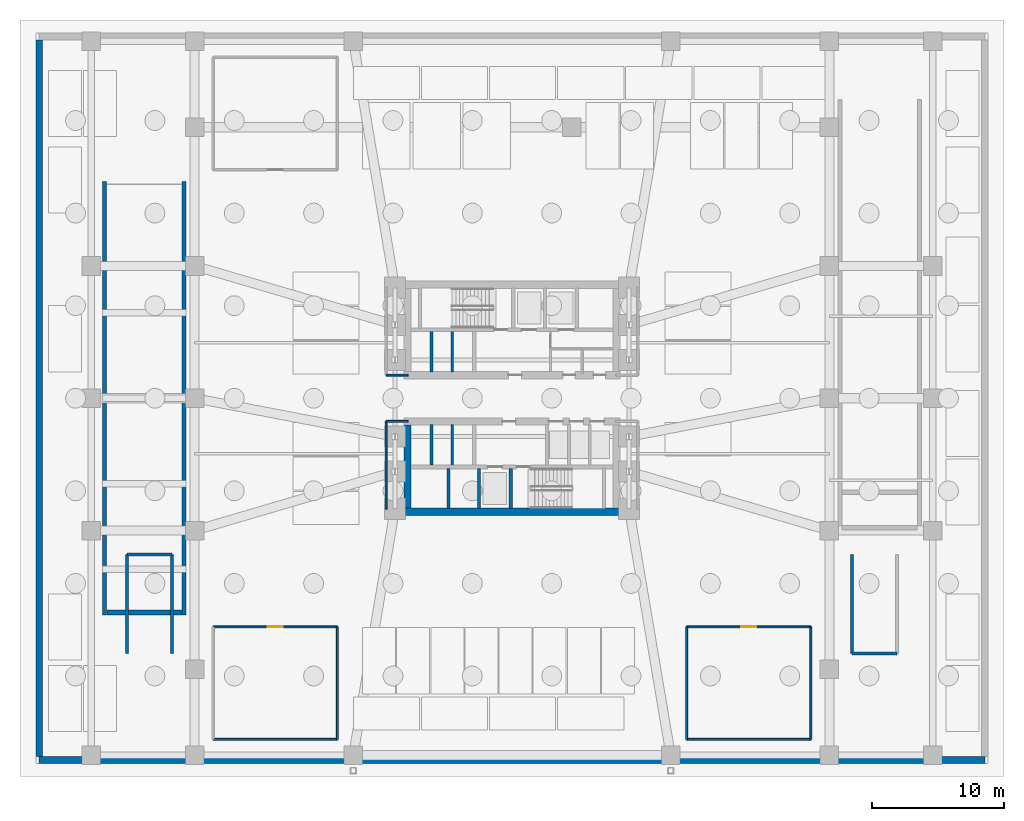
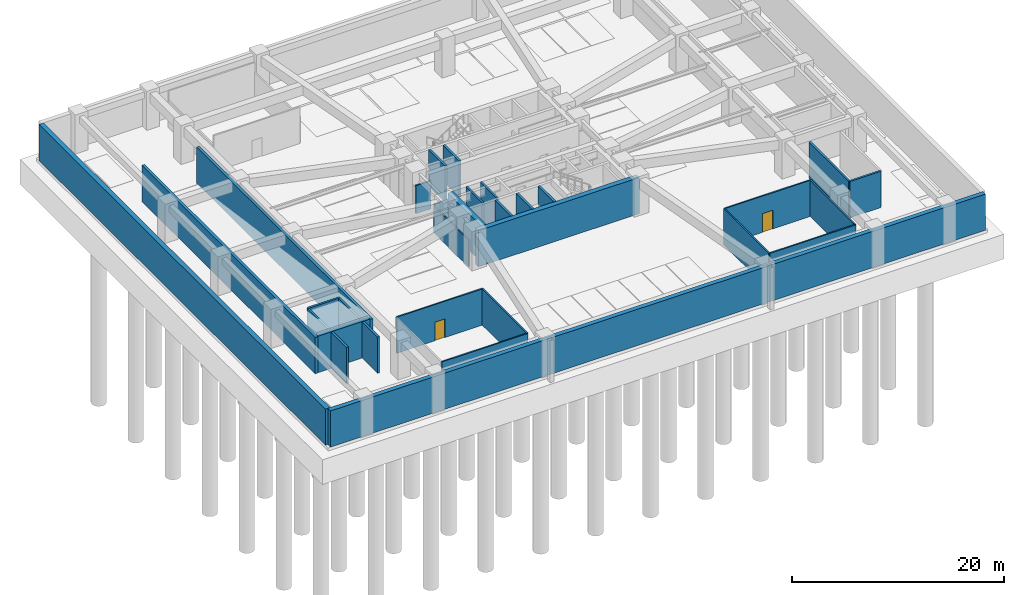
# One storey, part 6 of 14: 29 walls, 2 doors, 2 openings.
"""IFC4 building model written with IfcOpenShell, lengths in metres."""

import ifcopenshell
import ifcopenshell.guid

model = None  # the IFC model being written
_history = None  # IfcOwnerHistory: only IFC2X3 demands one
_inside = {}  # id of a spatial element -> (the spatial element, [elements in it])
_under = {}  # id of a project, library or spatial element -> (it, [spatial elements below it])
_declared = {}  # id of a project -> (the project, [libraries it declares])
_typed = {}  # id of a type object -> (the type object, [elements of that type])
_made_of = {}  # id of a material, layer set ... -> (it, [elements and type objects made of it])


def new_model(schema):
    """Start an empty IFC model of exactly this schema.

    Asked for "IFC4X3", IfcOpenShell would pick the latest addendum, in which some entities
    have other attributes; the version numbers below select the first issue.
    IFC2X3 requires an IfcOwnerHistory on every rooted entity: one is made here for all.
    """
    global model, _history
    if schema == "IFC4X3":
        model = ifcopenshell.file(schema_version=(4, 3, 0, 0))
    else:
        model = ifcopenshell.file(schema=schema)
    _inside.clear()
    _under.clear()
    _declared.clear()
    _typed.clear()
    _made_of.clear()
    _history = None
    if model.schema == "IFC2X3":
        org = make("IfcOrganization", Name="unknown")
        user = make(
            "IfcPersonAndOrganization",
            ThePerson=make("IfcPerson", FamilyName="unknown"),
            TheOrganization=org,
        )
        app = make(
            "IfcApplication",
            ApplicationDeveloper=org,
            Version="unknown",
            ApplicationFullName="unknown",
            ApplicationIdentifier="unknown",
        )
        _history = make(
            "IfcOwnerHistory",
            OwningUser=user,
            OwningApplication=app,
            ChangeAction="ADDED",
            CreationDate=0,
        )
    return model


def make(cls, **values):
    """One entity of the class cls with the attributes given. An attribute that is None is left unset."""
    return model.create_entity(
        cls, **{name: value for name, value in values.items() if value is not None}
    )


def rooted(cls, **values):
    """An entity with a GlobalId (a new one), such as an element, a storey or a relation."""
    return make(cls, GlobalId=ifcopenshell.guid.new(), OwnerHistory=_history, **values)


def si_unit(unit_type, name, prefix=None):
    """IfcSIUnit, for example si_unit("LENGTHUNIT", "METRE", prefix="MILLI")."""
    return make("IfcSIUnit", UnitType=unit_type, Prefix=prefix, Name=name)


def assignment(units):
    """IfcUnitAssignment: the units of a project."""
    return None if units is None else make("IfcUnitAssignment", Units=units)


def point(xyz):
    """IfcCartesianPoint."""
    return None if xyz is None else make("IfcCartesianPoint", Coordinates=xyz)


def direction(xyz):
    """IfcDirection."""
    return None if xyz is None else make("IfcDirection", DirectionRatios=xyz)


def frame(location, z_axis=None, x_axis=None):
    """IfcAxis2Placement3D, a coordinate frame: its origin and axes. An axis left out is left unset."""
    return make(
        "IfcAxis2Placement3D",
        Location=point(location),
        Axis=direction(z_axis),
        RefDirection=direction(x_axis),
    )


def frame_2d(location, x_axis=None):
    """IfcAxis2Placement2D, a coordinate frame in the plane: its origin and x axis."""
    return make(
        "IfcAxis2Placement2D", Location=point(location), RefDirection=direction(x_axis)
    )


def origin():
    """The frame at (0, 0, 0) with its axes left unset."""
    return frame((0.0, 0.0, 0.0))


def place(relative_to, where):
    """IfcLocalPlacement: puts the frame where relative to a parent placement (None: the world)."""
    return make(
        "IfcLocalPlacement", PlacementRelTo=relative_to, RelativePlacement=where
    )


def context(
    kind, dimensions, precision=None, world=None, true_north=None, identifier=None
):
    """IfcGeometricRepresentationContext, for example the 3D "Model" context."""
    return make(
        "IfcGeometricRepresentationContext",
        ContextIdentifier=identifier,
        ContextType=kind,
        CoordinateSpaceDimension=dimensions,
        Precision=precision,
        WorldCoordinateSystem=world,
        TrueNorth=true_north,
    )


def subcontext(parent, identifier, kind, view, scale=None):
    """IfcGeometricRepresentationSubContext, for example "Body" below "Model"."""
    return make(
        "IfcGeometricRepresentationSubContext",
        ContextIdentifier=identifier,
        ContextType=kind,
        ParentContext=parent,
        TargetScale=scale,
        TargetView=view,
    )


def project(units=None, contexts=None):
    """IfcProject with its units and contexts."""
    return rooted(
        "IfcProject",
        Name="project",
        RepresentationContexts=contexts,
        UnitsInContext=assignment(units),
    )


def spatial(cls, under=None, at=None, **own):
    """A site, building, storey or space (cls), placed at a placement, below another one or the project."""
    s = rooted(cls, ObjectPlacement=at, **own)
    if under is not None:
        _under.setdefault(under.id(), (under, []))[1].append(s)
    return s


def profile(cls, at=None, kind="AREA", **sizes):
    """A parametric profile (cls). Its sizes go by their IFC names, for example OverallWidth=200.0."""
    return make(cls, ProfileType=kind, Position=at, **sizes)


def rectangle(**sizes):
    """IfcRectangleProfileDef."""
    return profile("IfcRectangleProfileDef", **sizes)


def extrude(swept, where, along, depth):
    """IfcExtrudedAreaSolid: the profile swept, set in the frame where, extruded along a direction by depth."""
    return make(
        "IfcExtrudedAreaSolid",
        SweptArea=swept,
        Position=where,
        ExtrudedDirection=direction(along),
        Depth=depth,
    )


def shape(context_of_items, identifier, shape_type, items):
    """IfcShapeRepresentation: the items that make up one representation, for example the "Body"."""
    return make(
        "IfcShapeRepresentation",
        ContextOfItems=context_of_items,
        RepresentationIdentifier=identifier,
        RepresentationType=shape_type,
        Items=items,
    )


def material(Name=None, Category=None):
    """IfcMaterial."""
    return make("IfcMaterial", Name=Name, Category=Category)


def layer(
    of_material, thickness, ventilated=None, Name=None, Category=None, Priority=None
):
    """IfcMaterialLayer: one layer of a wall or slab, of a material (None: an air gap)."""
    return make(
        "IfcMaterialLayer",
        Material=of_material,
        LayerThickness=thickness,
        IsVentilated=ventilated,
        Name=Name,
        Category=Category,
        Priority=Priority,
    )


def layer_set(layers, Name=None):
    """IfcMaterialLayerSet."""
    return make("IfcMaterialLayerSet", MaterialLayers=layers, LayerSetName=Name)


def made_of(thing, what):
    """Note that an element or type object is made of a material, layer set ...; save() writes the relation."""
    if what is not None:
        _made_of.setdefault(what.id(), (what, []))[1].append(thing)
    return thing


def type_object(cls, material=None, **own):
    """A type object (cls), such as IfcWallType, which elements share."""
    return made_of(rooted(cls, **own), material)


def element(
    cls,
    number,
    at=None,
    inside=None,
    cuts=None,
    type_object=None,
    material=None,
    context=None,
    identifier="Body",
    shape_type=None,
    held_by="IfcProductDefinitionShape",
    body=None,
    shapes=None,
    **own,
):
    """One element of the class cls, such as IfcWall. Its Tag is "e" and its number.

    at: its placement. inside: the storey or other place that contains it. cuts: it is an
    opening in that element (IfcRelVoidsElement). A single representation is given by context,
    identifier, shape_type and body (its items); several are given by shapes. held_by: the class
    of the entity that holds the representations. save() writes the other relations.
    """
    e = rooted(cls, Tag="e%d" % number, ObjectPlacement=at, **own)
    if body is not None:
        shapes = [shape(context, identifier, shape_type, body)]
    if shapes is not None:
        e.Representation = make(held_by, Representations=shapes)
    if inside is not None:
        _inside.setdefault(inside.id(), (inside, []))[1].append(e)
    if cuts is not None:
        rooted(
            "IfcRelVoidsElement", RelatingBuildingElement=cuts, RelatedOpeningElement=e
        )
    if type_object is not None:
        _typed.setdefault(type_object.id(), (type_object, []))[1].append(e)
    return made_of(e, material)


def fill(opening, filler):
    """IfcRelFillsElement: the door or window that sits in an opening."""
    return rooted(
        "IfcRelFillsElement",
        RelatingOpeningElement=opening,
        RelatedBuildingElement=filler,
    )


def aggregate(whole, parts):
    """IfcRelAggregates: a whole, such as a stair, and the parts it consists of."""
    return rooted("IfcRelAggregates", RelatingObject=whole, RelatedObjects=parts)


def save(model, path):
    """Write the relations noted so far, then the file.

    IfcRelAggregates (storeys below a building ...), IfcRelContainedInSpatialStructure (elements
    in a storey), IfcRelDefinesByType, IfcRelAssociatesMaterial and IfcRelDeclares: one each for
    every whole, place, type object, material and project.
    """
    for whole, parts in _under.values():
        aggregate(whole, parts)
    for where, things in _inside.values():
        rooted(
            "IfcRelContainedInSpatialStructure",
            RelatedElements=things,
            RelatingStructure=where,
        )
    for kind, things in _typed.values():
        rooted("IfcRelDefinesByType", RelatedObjects=things, RelatingType=kind)
    for what, things in _made_of.values():
        rooted("IfcRelAssociatesMaterial", RelatedObjects=things, RelatingMaterial=what)
    for by, libraries in _declared.values():
        rooted("IfcRelDeclares", RelatingContext=by, RelatedDefinitions=libraries)
    model.write(path)


model = new_model("IFC4")

# Units and contexts
model_context = context("Model", 3, precision=1e-05, world=origin(), true_north=direction((0.0, 1.0)))
body_context = subcontext(model_context, "Body", "Model", "MODEL_VIEW")
ifc_project = project(units=[si_unit("LENGTHUNIT", "METRE"), si_unit("AREAUNIT", "SQUARE_METRE"), si_unit("VOLUMEUNIT", "CUBIC_METRE"), si_unit("PLANEANGLEUNIT", "RADIAN"), si_unit("MASSUNIT", "GRAM", prefix="KILO")], contexts=[model_context])

# Site, building, storey
site_placement = place(None, origin())
site = spatial("IfcSite", under=ifc_project, at=site_placement, CompositionType="ELEMENT")
building_placement = place(site_placement, origin())
building = spatial("IfcBuilding", under=site, at=building_placement, Name="Solmarez Civic Tower", CompositionType="ELEMENT")
storey_placement = place(building_placement, frame((0.0, 0.0, -9.0)))
storey = spatial("IfcBuildingStorey", under=building, at=storey_placement, Name="B2", CompositionType="ELEMENT", Elevation=-9.0)

# Walls
ifc_material_1 = material(Name="Concrete C60/75", Category="concrete")
ifc_layer_1 = layer(ifc_material_1, 0.550048828125)
ifc_layer_set_1 = layer_set([ifc_layer_1], Name="Concrete C60/75")
wall_type_1 = type_object("IfcWallType", Name="WALL-CORE-550", PredefinedType="SHEAR", material=ifc_layer_set_1)
wall_1_placement = place(storey_placement, frame((8.780029296875, -8.5849609375, 0.0), z_axis=(0.0, 0.0, 1.0), x_axis=(-1.0, 0.0, 0.0)))
element("IfcWall", 1, at=wall_1_placement, inside=storey, type_object=wall_type_1, Name="B2 Split-Core Structural Wall SCW-S-B2", PredefinedType="SHEAR", context=body_context, shape_type="SweptSolid", body=[
    extrude(rectangle(XDim=17.56005859375, YDim=0.550048828125, at=frame_2d((8.780029296875, 0.0))), origin(), (0.0, 0.0, 1.0), 4.179931640625),
])
wall_2_placement = place(storey_placement, frame((-7.89501953125, -8.31005859375, 0.0), z_axis=(0.0, 0.0, 1.0), x_axis=(0.0, 1.0, 0.0)))
element("IfcWall", 2, at=wall_2_placement, inside=storey, type_object=wall_type_1, Name="B2 Split-Core Structural Wall SCW-W-B2", PredefinedType="SHEAR", context=body_context, shape_type="SweptSolid", body=[
    extrude(rectangle(XDim=6.28515625, YDim=0.550048828125, at=frame_2d((3.142578125, 0.0))), origin(), (0.0, 0.0, 1.0), 4.179931640625),
])
ifc_material_2 = material(Name="Gypsum Board Acoustic Steel-Stud Partition", Category="steel")
ifc_layer_2 = layer(ifc_material_2, 0.14990234375)
ifc_layer_set_2 = layer_set([ifc_layer_2], Name="Gypsum Board Acoustic Steel-Stud Partition")
wall_type_2 = type_object("IfcWallType", Name="WALL-INT-FIRE-150", PredefinedType="PARTITIONING", material=ifc_layer_set_2)
wall_3_placement = place(storey_placement, frame((-7.85009765625, 1.75, 0.0), z_axis=(0.0, 0.0, 1.0), x_axis=(-1.0, 0.0, 0.0)))
element("IfcWall", 3, at=wall_3_placement, inside=storey, type_object=wall_type_2, Name="B2 Interior Partition CHW-B2-WN3", PredefinedType="PARTITIONING", context=body_context, shape_type="SweptSolid", body=[
    extrude(rectangle(XDim=1.669921875, YDim=0.14990234375, at=frame_2d((0.8349609375, 0.0))), origin(), (0.0, 0.0, 1.0), 3.2451171875),
])
wall_4_placement = place(storey_placement, frame((-9.52001953125, -8.3798828125, 0.0), z_axis=(0.0, 0.0, 1.0), x_axis=(0.0, 1.0, 0.0)))
element("IfcWall", 4, at=wall_4_placement, inside=storey, type_object=wall_type_2, Name="B2 Interior Partition CHW-B2-WS1", PredefinedType="PARTITIONING", context=body_context, shape_type="SweptSolid", body=[
    extrude(rectangle(XDim=6.6298828125, YDim=0.14990234375, at=frame_2d((3.31494140625, 0.0))), origin(), (0.0, 0.0, 1.0), 3.072021484375),
])
wall_5_placement = place(storey_placement, frame((-7.85009765625, -1.75, 0.0), z_axis=(0.0, 0.0, 1.0), x_axis=(-1.0, 0.0, 0.0)))
element("IfcWall", 5, at=wall_5_placement, inside=storey, type_object=wall_type_2, Name="B2 Interior Partition CHW-B2-WS3", PredefinedType="PARTITIONING", context=body_context, shape_type="SweptSolid", body=[
    extrude(rectangle(XDim=1.669921875, YDim=0.14990234375, at=frame_2d((0.8349609375, 0.0))), origin(), (0.0, 0.0, 1.0), 3.2451171875),
])

# Wall, opening, door
wall_6_placement = place(storey_placement, frame((-22.60009765625, -17.280029296875, 0.0), z_axis=(0.0, 0.0, 1.0), x_axis=(1.0, 0.0, 0.0)))
wall_6 = element("IfcWall", 6, at=wall_6_placement, inside=storey, type_object=wall_type_2, Name="B2 Interior Partition PT-B2-SW-F", PredefinedType="PARTITIONING", context=body_context, shape_type="SweptSolid", body=[
    extrude(rectangle(XDim=9.400146484375, YDim=0.14990234375, at=frame_2d((4.7001953125, 0.0))), origin(), (0.0, 0.0, 1.0), 4.179931640625),
])
opening_1_placement = place(wall_6_placement, frame((4.14990234375, 0.0, 0.0)))
opening_1 = element("IfcOpeningElement", 7, at=opening_1_placement, cuts=wall_6, Name="Opening D-07", PredefinedType="OPENING", context=body_context, shape_type="SweptSolid", body=[
    extrude(rectangle(XDim=1.10009765625, YDim=2.14990234375, at=frame_2d((0.550048828125, 1.074951171875))), frame((0.0, 0.0849609375, 0.0), z_axis=(0.0, -1.0, 0.0), x_axis=(1.0, 0.0, 0.0)), (0.0, 0.0, 1.0), 0.169921875),
])
ifc_material_3 = material(Name="Heavy-Duty Fire Exit Door", Category="wood")
door_type = type_object("IfcDoorType", Name="DOOR-FD90-1100", OperationType="NOTDEFINED", PredefinedType="DOOR", material=ifc_material_3)
door_1_placement = place(opening_1_placement, origin())
door_1 = element("IfcDoor", 8, at=door_1_placement, inside=storey, type_object=door_type, Name="B2 Fire Cisterns and Piled Raft Pump Plant Room Door", OperationType="SINGLE_SWING_LEFT", OverallHeight=2.14990234375, OverallWidth=1.10009765625, PredefinedType="DOOR", context=body_context, shape_type="SweptSolid", body=[
    extrude(rectangle(XDim=1.10009765625, YDim=2.14990234375, at=frame_2d((0.550048828125, 1.074951171875))), frame((0.0, 0.02490234375, 0.0), z_axis=(0.0, -1.0, 0.0), x_axis=(1.0, 0.0, 0.0)), (0.0, 0.0, 1.0), 0.050048828125),
])
fill(opening_1, door_1)

# Walls
wall_7_placement = place(storey_placement, frame((-13.199951171875, -25.800048828125, 0.0), z_axis=(0.0, 0.0, 1.0), x_axis=(0.0, 1.0, 0.0)))
element("IfcWall", 9, at=wall_7_placement, inside=storey, type_object=wall_type_2, Name="B2 Interior Partition PT-B2-SW-E", PredefinedType="PARTITIONING", context=body_context, shape_type="SweptSolid", body=[
    extrude(rectangle(XDim=8.52001953125, YDim=0.14990234375, at=frame_2d((4.260009765625, 0.0))), origin(), (0.0, 0.0, 1.0), 4.179931640625),
])
wall_8_placement = place(storey_placement, frame((-22.60009765625, -25.800048828125, 0.0), z_axis=(0.0, 0.0, 1.0), x_axis=(1.0, 0.0, 0.0)))
element("IfcWall", 10, at=wall_8_placement, inside=storey, type_object=wall_type_2, Name="B2 Interior Partition PT-B2-SW-B", PredefinedType="PARTITIONING", context=body_context, shape_type="SweptSolid", body=[
    extrude(rectangle(XDim=9.400146484375, YDim=0.14990234375, at=frame_2d((4.7001953125, 0.0))), origin(), (0.0, 0.0, 1.0), 4.179931640625),
])

# Wall, opening, door
wall_9_placement = place(storey_placement, frame((13.199951171875, -17.280029296875, 0.0), z_axis=(0.0, 0.0, 1.0), x_axis=(1.0, 0.0, 0.0)))
wall_9 = element("IfcWall", 11, at=wall_9_placement, inside=storey, type_object=wall_type_2, Name="B2 Interior Partition PT-B2-SE-F", PredefinedType="PARTITIONING", context=body_context, shape_type="SweptSolid", body=[
    extrude(rectangle(XDim=9.400146484375, YDim=0.14990234375, at=frame_2d((4.7001953125, 0.0))), origin(), (0.0, 0.0, 1.0), 4.179931640625),
])
opening_2_placement = place(wall_9_placement, frame((4.14990234375, 0.0, 0.0)))
opening_2 = element("IfcOpeningElement", 12, at=opening_2_placement, cuts=wall_9, Name="Opening D-07", PredefinedType="OPENING", context=body_context, shape_type="SweptSolid", body=[
    extrude(rectangle(XDim=1.10009765625, YDim=2.14990234375, at=frame_2d((0.550048828125, 1.074951171875))), frame((0.0, 0.0849609375, 0.0), z_axis=(0.0, -1.0, 0.0), x_axis=(1.0, 0.0, 0.0)), (0.0, 0.0, 1.0), 0.169921875),
])
door_2_placement = place(opening_2_placement, origin())
door_2 = element("IfcDoor", 13, at=door_2_placement, inside=storey, type_object=door_type, Name="B2 Domestic Water Tank and Plant Room Door", OperationType="SINGLE_SWING_RIGHT", OverallHeight=2.14990234375, OverallWidth=1.10009765625, PredefinedType="DOOR", context=body_context, shape_type="SweptSolid", body=[
    extrude(rectangle(XDim=1.10009765625, YDim=2.14990234375, at=frame_2d((0.550048828125, 1.074951171875))), frame((0.0, 0.02490234375, 0.0), z_axis=(0.0, -1.0, 0.0), x_axis=(1.0, 0.0, 0.0)), (0.0, 0.0, 1.0), 0.050048828125),
])
fill(opening_2, door_2)

# Walls
for number, where, z_axis, x_axis, name in (
    (14, (13.199951171875, -25.800048828125, 0.0), (0.0, 0.0, 1.0), (0.0, 1.0, 0.0), "B2 Interior Partition PT-B2-SE-W"),
    (15, (22.60009765625, -25.800048828125, 0.0), (0.0, 0.0, 1.0), (0.0, 1.0, 0.0), "B2 Interior Partition PT-B2-SE-E"),
):
    element("IfcWall", number, at=place(storey_placement, frame(where, z_axis=z_axis, x_axis=x_axis)), inside=storey, type_object=wall_type_2, Name=name, PredefinedType="PARTITIONING", context=body_context, shape_type="SweptSolid", body=[
        extrude(rectangle(XDim=8.52001953125, YDim=0.14990234375, at=frame_2d((4.260009765625, 0.0))), origin(), (0.0, 0.0, 1.0), 4.179931640625),
    ])
wall_10_placement = place(storey_placement, frame((13.199951171875, -25.800048828125, 0.0), z_axis=(0.0, 0.0, 1.0), x_axis=(1.0, 0.0, 0.0)))
element("IfcWall", 16, at=wall_10_placement, inside=storey, type_object=wall_type_2, Name="B2 Interior Partition PT-B2-SE-B", PredefinedType="PARTITIONING", context=body_context, shape_type="SweptSolid", body=[
    extrude(rectangle(XDim=9.400146484375, YDim=0.14990234375, at=frame_2d((4.7001953125, 0.0))), origin(), (0.0, 0.0, 1.0), 4.179931640625),
])
ifc_material_4 = material(Name="Concrete C50/60", Category="concrete")
ifc_layer_3 = layer(ifc_material_4, 0.5)
ifc_layer_set_3 = layer_set([ifc_layer_3], Name="Concrete C50/60")
wall_type_3 = type_object("IfcWallType", Name="WALL-RET-500", PredefinedType="USERDEFINED", material=ifc_layer_set_3)
wall_11_placement = place(storey_placement, frame((35.75, -27.35009765625, 0.0), z_axis=(0.0, 0.0, 1.0), x_axis=(-1.0, 0.0, 0.0)))
element("IfcWall", 17, at=wall_11_placement, inside=storey, type_object=wall_type_3, Name="B2 Perimeter Retaining Wall RW-S-B2", ObjectType="RETAININGWALL", PredefinedType="USERDEFINED", context=body_context, shape_type="SweptSolid", body=[
    extrude(rectangle(XDim=71.5, YDim=0.5, at=frame_2d((35.75, 0.0))), origin(), (0.0, 0.0, 1.0), 4.179931640625),
])
wall_12_placement = place(storey_placement, frame((-35.75, -27.10009765625, 0.0), z_axis=(0.0, 0.0, 1.0), x_axis=(0.0, 1.0, 0.0)))
element("IfcWall", 18, at=wall_12_placement, inside=storey, type_object=wall_type_3, Name="B2 Perimeter Retaining Wall RW-W-B2", ObjectType="RETAININGWALL", PredefinedType="USERDEFINED", context=body_context, shape_type="SweptSolid", body=[
    extrude(rectangle(XDim=54.2001953125, YDim=0.5, at=frame_2d((27.10009765625, 0.0))), origin(), (0.0, 0.0, 1.0), 4.179931640625),
])
ifc_layer_4 = layer(ifc_material_4, 0.300048828125)
ifc_layer_set_4 = layer_set([ifc_layer_4], Name="Concrete C50/60")
wall_type_4 = type_object("IfcWallType", Name="WALL-STR-300", PredefinedType="SOLIDWALL", material=ifc_layer_set_4)
for number, where, z_axis, x_axis, name in (
    (19, (-0.10009765625, -8.340087890625, 0.0), (0.0, 0.0, 1.0), (0.0, 1.0, 0.0), "B2 Split-Core Structural Wall SHW-S1-B2"),
    (20, (-2.5, -8.340087890625, 0.0), (0.0, 0.0, 1.0), (0.0, 1.0, 0.0), "B2 Split-Core Structural Wall SHW-S2-B2"),
    (21, (-4.800048828125, -8.340087890625, 0.0), (0.0, 0.0, 1.0), (0.0, 1.0, 0.0), "B2 Split-Core Structural Wall SHW-S3-B2"),
):
    element("IfcWall", number, at=place(storey_placement, frame(where, z_axis=z_axis, x_axis=x_axis)), inside=storey, type_object=wall_type_4, Name=name, PredefinedType="SOLIDWALL", context=body_context, shape_type="SweptSolid", body=[
        extrude(rectangle(XDim=3.0400390625, YDim=0.25, at=frame_2d((1.52001953125, 0.0))), origin(), (0.0, 0.0, 1.0), 4.179931640625),
    ])
for number, where, z_axis, x_axis, name in (
    (22, (-6.080078125, 1.97998046875, 0.0), (0.0, 0.0, 1.0), (0.0, 1.0, 0.0), "B2 Split-Core Structural Wall SHW-PLH-B2-1"),
    (23, (-4.52001953125, 1.97998046875, 0.0), (0.0, 0.0, 1.0), (0.0, 1.0, 0.0), "B2 Split-Core Structural Wall SHW-PLH-B2-2"),
    (24, (-6.080078125, -5.050048828125, 0.0), (0.0, 0.0, 1.0), (0.0, 1.0, 0.0), "B2 Split-Core Structural Wall SHW-PLM-B2-1"),
    (25, (-4.52001953125, -5.050048828125, 0.0), (0.0, 0.0, 1.0), (0.0, 1.0, 0.0), "B2 Split-Core Structural Wall SHW-PLM-B2-2"),
):
    element("IfcWall", number, at=place(storey_placement, frame(where, z_axis=z_axis, x_axis=x_axis)), inside=storey, type_object=wall_type_4, Name=name, PredefinedType="SOLIDWALL", context=body_context, shape_type="SweptSolid", body=[
        extrude(rectangle(XDim=3.070068359375, YDim=0.219970703125, at=frame_2d((1.53515625, 0.0))), origin(), (0.0, 0.0, 1.0), 4.179931640625),
    ])
for number, where, z_axis, x_axis, name in (
    (26, (-29.10009765625, -19.300048828125, 0.0), (0.0, 0.0, 1.0), (0.0, 1.0, 0.0), "B2 Podium Stair Structural Wall STP1-W"),
    (27, (-25.699951171875, -19.300048828125, 0.0), (0.0, 0.0, 1.0), (0.0, 1.0, 0.0), "B2 Podium Stair Structural Wall STP1-E"),
):
    element("IfcWall", number, at=place(storey_placement, frame(where, z_axis=z_axis, x_axis=x_axis)), inside=storey, type_object=wall_type_4, Name=name, PredefinedType="SOLIDWALL", context=body_context, shape_type="SweptSolid", body=[
        extrude(rectangle(XDim=7.5, YDim=0.219970703125, at=frame_2d((3.75, 0.0))), origin(), (0.0, 0.0, 1.0), 4.179931640625),
    ])
wall_13_placement = place(storey_placement, frame((-29.10009765625, -11.800048828125, 0.0), z_axis=(0.0, 0.0, 1.0), x_axis=(1.0, 0.0, 0.0)))
element("IfcWall", 28, at=wall_13_placement, inside=storey, type_object=wall_type_4, Name="B2 Podium Stair Structural Wall STP1-N", PredefinedType="SOLIDWALL", context=body_context, shape_type="SweptSolid", body=[
    extrude(rectangle(XDim=3.400146484375, YDim=0.219970703125, at=frame_2d((1.7001953125, 0.0))), origin(), (0.0, 0.0, 1.0), 4.179931640625),
])
wall_14_placement = place(storey_placement, frame((25.699951171875, -19.300048828125, 0.0), z_axis=(0.0, 0.0, 1.0), x_axis=(0.0, 1.0, 0.0)))
element("IfcWall", 29, at=wall_14_placement, inside=storey, type_object=wall_type_4, Name="B2 Podium Stair Structural Wall STP2-W", PredefinedType="SOLIDWALL", context=body_context, shape_type="SweptSolid", body=[
    extrude(rectangle(XDim=7.5, YDim=0.219970703125, at=frame_2d((3.75, 0.0))), origin(), (0.0, 0.0, 1.0), 4.179931640625),
])
wall_15_placement = place(storey_placement, frame((25.699951171875, -19.300048828125, 0.0), z_axis=(0.0, 0.0, 1.0), x_axis=(1.0, 0.0, 0.0)))
element("IfcWall", 30, at=wall_15_placement, inside=storey, type_object=wall_type_4, Name="B2 Podium Stair Structural Wall STP2-S", PredefinedType="SOLIDWALL", context=body_context, shape_type="SweptSolid", body=[
    extrude(rectangle(XDim=3.400146484375, YDim=0.219970703125, at=frame_2d((1.7001953125, 0.0))), origin(), (0.0, 0.0, 1.0), 4.179931640625),
])
for number, where, z_axis, x_axis, name in (
    (31, (-30.800048828125, -16.39990234375, 0.0), (0.0, 0.0, 1.0), (0.0, 1.0, 0.0), "B2 Vehicle Ramp Structural Wall SW-VR2-W-B2"),
    (32, (-24.800048828125, -16.39990234375, 0.0), (0.0, 0.0, 1.0), (0.0, 1.0, 0.0), "B2 Vehicle Ramp Structural Wall SW-VR2-E-B2"),
):
    element("IfcWall", number, at=place(storey_placement, frame(where, z_axis=z_axis, x_axis=x_axis)), inside=storey, type_object=wall_type_4, Name=name, PredefinedType="SOLIDWALL", context=body_context, shape_type="SweptSolid", body=[
        extrude(rectangle(XDim=32.7998046875, YDim=0.300048828125, at=frame_2d((16.39990234375, 0.0))), origin(), (0.0, 0.0, 1.0), 4.179931640625),
    ])
wall_16_placement = place(storey_placement, frame((-30.639892578125, -16.199951171875, 0.0), z_axis=(0.0, 0.0, 1.0), x_axis=(1.0, 0.0, 0.0)))
element("IfcWall", 33, at=wall_16_placement, inside=storey, type_object=wall_type_4, Name="B2 Ramp Landing Bearing Wall SW-VR2-TOP-B2", PredefinedType="SOLIDWALL", context=body_context, shape_type="SweptSolid", body=[
    extrude(rectangle(XDim=5.679931640625, YDim=0.35009765625, at=frame_2d((2.83984375, 0.0))), origin(), (0.0, 0.0, 1.0), 4.2099609375),
])

save(model, "model.ifc")
